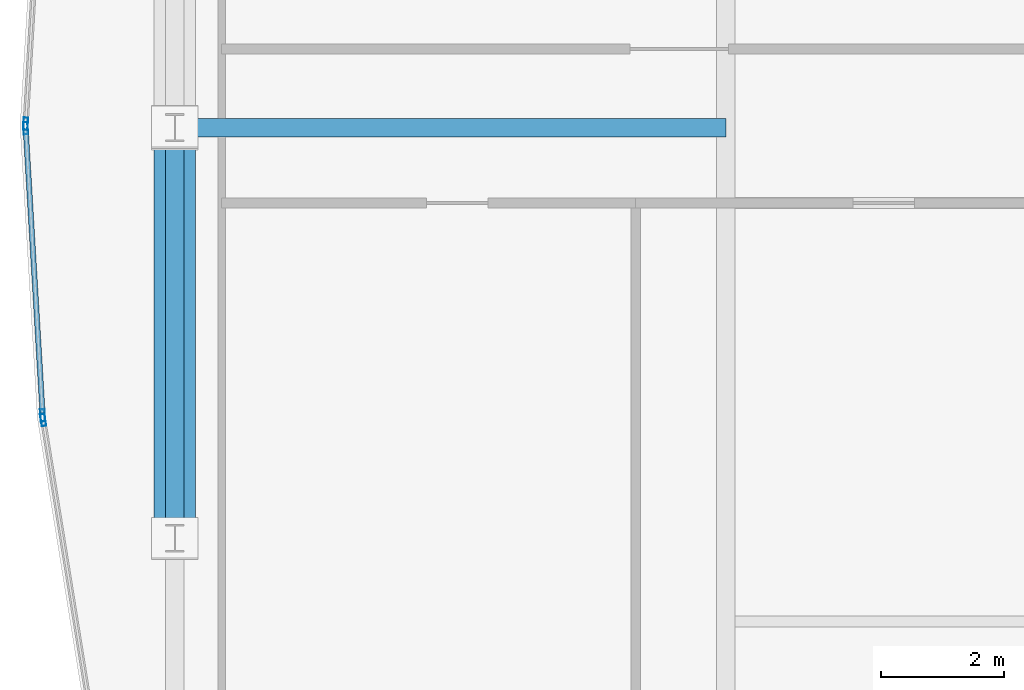
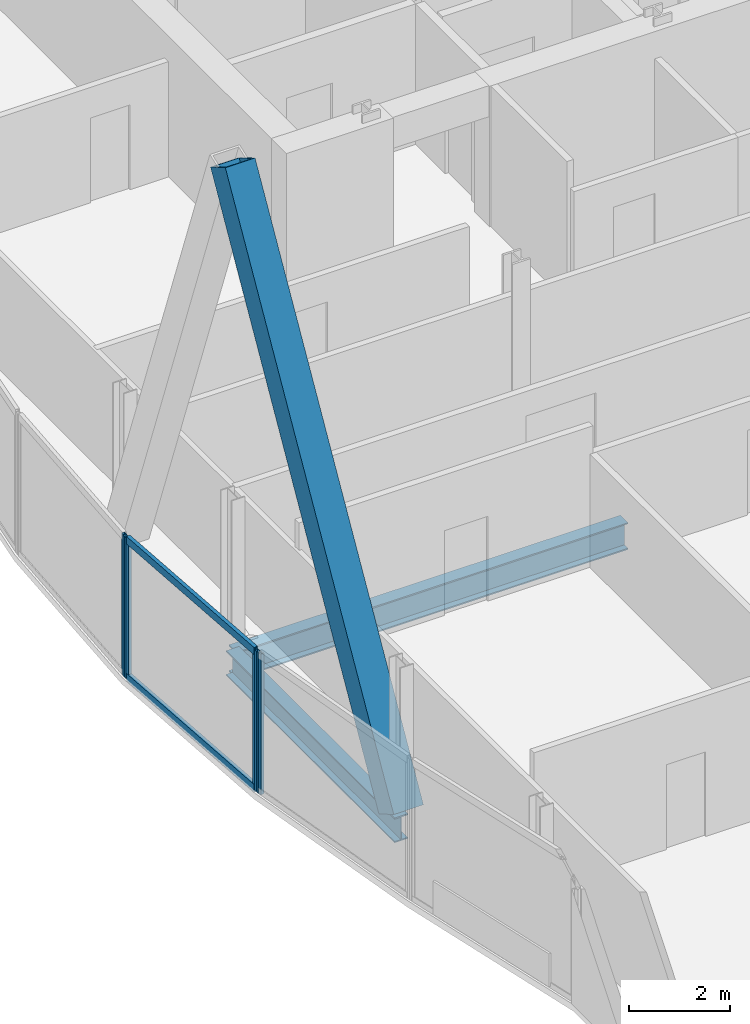
# One storey, part 10 of 31: 7 members, 2 beams, 3 elements without a shape of their own.
"""IFC4 building model written with IfcOpenShell, lengths in metres."""

import ifcopenshell
import ifcopenshell.guid

model = None  # the IFC model being written
_history = None  # IfcOwnerHistory: only IFC2X3 demands one
_inside = {}  # id of a spatial element -> (the spatial element, [elements in it])
_under = {}  # id of a project, library or spatial element -> (it, [spatial elements below it])
_declared = {}  # id of a project -> (the project, [libraries it declares])
_typed = {}  # id of a type object -> (the type object, [elements of that type])
_made_of = {}  # id of a material, layer set ... -> (it, [elements and type objects made of it])


def new_model(schema):
    """Start an empty IFC model of exactly this schema.

    Asked for "IFC4X3", IfcOpenShell would pick the latest addendum, in which some entities
    have other attributes; the version numbers below select the first issue.
    IFC2X3 requires an IfcOwnerHistory on every rooted entity: one is made here for all.
    """
    global model, _history
    if schema == "IFC4X3":
        model = ifcopenshell.file(schema_version=(4, 3, 0, 0))
    else:
        model = ifcopenshell.file(schema=schema)
    _inside.clear()
    _under.clear()
    _declared.clear()
    _typed.clear()
    _made_of.clear()
    _history = None
    if model.schema == "IFC2X3":
        org = make("IfcOrganization", Name="unknown")
        user = make(
            "IfcPersonAndOrganization",
            ThePerson=make("IfcPerson", FamilyName="unknown"),
            TheOrganization=org,
        )
        app = make(
            "IfcApplication",
            ApplicationDeveloper=org,
            Version="unknown",
            ApplicationFullName="unknown",
            ApplicationIdentifier="unknown",
        )
        _history = make(
            "IfcOwnerHistory",
            OwningUser=user,
            OwningApplication=app,
            ChangeAction="ADDED",
            CreationDate=0,
        )
    return model


def make(cls, **values):
    """One entity of the class cls with the attributes given. An attribute that is None is left unset."""
    return model.create_entity(
        cls, **{name: value for name, value in values.items() if value is not None}
    )


def rooted(cls, **values):
    """An entity with a GlobalId (a new one), such as an element, a storey or a relation."""
    return make(cls, GlobalId=ifcopenshell.guid.new(), OwnerHistory=_history, **values)


def si_unit(unit_type, name, prefix=None):
    """IfcSIUnit, for example si_unit("LENGTHUNIT", "METRE", prefix="MILLI")."""
    return make("IfcSIUnit", UnitType=unit_type, Prefix=prefix, Name=name)


def assignment(units):
    """IfcUnitAssignment: the units of a project."""
    return None if units is None else make("IfcUnitAssignment", Units=units)


def point(xyz):
    """IfcCartesianPoint."""
    return None if xyz is None else make("IfcCartesianPoint", Coordinates=xyz)


def direction(xyz):
    """IfcDirection."""
    return None if xyz is None else make("IfcDirection", DirectionRatios=xyz)


def frame(location, z_axis=None, x_axis=None):
    """IfcAxis2Placement3D, a coordinate frame: its origin and axes. An axis left out is left unset."""
    return make(
        "IfcAxis2Placement3D",
        Location=point(location),
        Axis=direction(z_axis),
        RefDirection=direction(x_axis),
    )


def frame_2d(location, x_axis=None):
    """IfcAxis2Placement2D, a coordinate frame in the plane: its origin and x axis."""
    return make(
        "IfcAxis2Placement2D", Location=point(location), RefDirection=direction(x_axis)
    )


def origin():
    """The frame at (0, 0, 0) with its axes left unset."""
    return frame((0.0, 0.0, 0.0))


def origin_2d():
    """The frame at (0, 0) in the plane with its x axis left unset."""
    return frame_2d((0.0, 0.0))


def place(relative_to, where):
    """IfcLocalPlacement: puts the frame where relative to a parent placement (None: the world)."""
    return make(
        "IfcLocalPlacement", PlacementRelTo=relative_to, RelativePlacement=where
    )


def context(
    kind, dimensions, precision=None, world=None, true_north=None, identifier=None
):
    """IfcGeometricRepresentationContext, for example the 3D "Model" context."""
    return make(
        "IfcGeometricRepresentationContext",
        ContextIdentifier=identifier,
        ContextType=kind,
        CoordinateSpaceDimension=dimensions,
        Precision=precision,
        WorldCoordinateSystem=world,
        TrueNorth=true_north,
    )


def subcontext(parent, identifier, kind, view, scale=None):
    """IfcGeometricRepresentationSubContext, for example "Body" below "Model"."""
    return make(
        "IfcGeometricRepresentationSubContext",
        ContextIdentifier=identifier,
        ContextType=kind,
        ParentContext=parent,
        TargetScale=scale,
        TargetView=view,
    )


def project(units=None, contexts=None):
    """IfcProject with its units and contexts."""
    return rooted(
        "IfcProject",
        Name="project",
        RepresentationContexts=contexts,
        UnitsInContext=assignment(units),
    )


def spatial(cls, under=None, at=None, **own):
    """A site, building, storey or space (cls), placed at a placement, below another one or the project."""
    s = rooted(cls, ObjectPlacement=at, **own)
    if under is not None:
        _under.setdefault(under.id(), (under, []))[1].append(s)
    return s


def profile(cls, at=None, kind="AREA", **sizes):
    """A parametric profile (cls). Its sizes go by their IFC names, for example OverallWidth=200.0."""
    return make(cls, ProfileType=kind, Position=at, **sizes)


def hollow_rectangle(**sizes):
    """IfcRectangleHollowProfileDef."""
    return profile("IfcRectangleHollowProfileDef", **sizes)


def i_section(**sizes):
    """IfcIShapeProfileDef."""
    return profile("IfcIShapeProfileDef", **sizes)


def extrude(swept, where, along, depth):
    """IfcExtrudedAreaSolid: the profile swept, set in the frame where, extruded along a direction by depth."""
    return make(
        "IfcExtrudedAreaSolid",
        SweptArea=swept,
        Position=where,
        ExtrudedDirection=direction(along),
        Depth=depth,
    )


def shape(context_of_items, identifier, shape_type, items):
    """IfcShapeRepresentation: the items that make up one representation, for example the "Body"."""
    return make(
        "IfcShapeRepresentation",
        ContextOfItems=context_of_items,
        RepresentationIdentifier=identifier,
        RepresentationType=shape_type,
        Items=items,
    )


def material(Name=None, Category=None):
    """IfcMaterial."""
    return make("IfcMaterial", Name=Name, Category=Category)


def material_profile(
    of_material, cross_section, Name=None, Category=None, Priority=None
):
    """IfcMaterialProfile: a cross section and its material."""
    return make(
        "IfcMaterialProfile",
        Name=Name,
        Material=of_material,
        Profile=cross_section,
        Priority=Priority,
        Category=Category,
    )


def profile_set(profiles, Name=None, composite=None):
    """IfcMaterialProfileSet."""
    return make(
        "IfcMaterialProfileSet",
        Name=Name,
        MaterialProfiles=profiles,
        CompositeProfile=composite,
    )


def made_of(thing, what):
    """Note that an element or type object is made of a material, layer set ...; save() writes the relation."""
    if what is not None:
        _made_of.setdefault(what.id(), (what, []))[1].append(thing)
    return thing


def type_object(cls, material=None, **own):
    """A type object (cls), such as IfcWallType, which elements share."""
    return made_of(rooted(cls, **own), material)


def element(
    cls,
    number,
    at=None,
    inside=None,
    cuts=None,
    type_object=None,
    material=None,
    context=None,
    identifier="Body",
    shape_type=None,
    held_by="IfcProductDefinitionShape",
    body=None,
    shapes=None,
    **own,
):
    """One element of the class cls, such as IfcWall. Its Tag is "e" and its number.

    at: its placement. inside: the storey or other place that contains it. cuts: it is an
    opening in that element (IfcRelVoidsElement). A single representation is given by context,
    identifier, shape_type and body (its items); several are given by shapes. held_by: the class
    of the entity that holds the representations. save() writes the other relations.
    """
    e = rooted(cls, Tag="e%d" % number, ObjectPlacement=at, **own)
    if body is not None:
        shapes = [shape(context, identifier, shape_type, body)]
    if shapes is not None:
        e.Representation = make(held_by, Representations=shapes)
    if inside is not None:
        _inside.setdefault(inside.id(), (inside, []))[1].append(e)
    if cuts is not None:
        rooted(
            "IfcRelVoidsElement", RelatingBuildingElement=cuts, RelatedOpeningElement=e
        )
    if type_object is not None:
        _typed.setdefault(type_object.id(), (type_object, []))[1].append(e)
    return made_of(e, material)


def aggregate(whole, parts):
    """IfcRelAggregates: a whole, such as a stair, and the parts it consists of."""
    return rooted("IfcRelAggregates", RelatingObject=whole, RelatedObjects=parts)


def save(model, path):
    """Write the relations noted so far, then the file.

    IfcRelAggregates (storeys below a building ...), IfcRelContainedInSpatialStructure (elements
    in a storey), IfcRelDefinesByType, IfcRelAssociatesMaterial and IfcRelDeclares: one each for
    every whole, place, type object, material and project.
    """
    for whole, parts in _under.values():
        aggregate(whole, parts)
    for where, things in _inside.values():
        rooted(
            "IfcRelContainedInSpatialStructure",
            RelatedElements=things,
            RelatingStructure=where,
        )
    for kind, things in _typed.values():
        rooted("IfcRelDefinesByType", RelatedObjects=things, RelatingType=kind)
    for what, things in _made_of.values():
        rooted("IfcRelAssociatesMaterial", RelatedObjects=things, RelatingMaterial=what)
    for by, libraries in _declared.values():
        rooted("IfcRelDeclares", RelatingContext=by, RelatedDefinitions=libraries)
    model.write(path)


model = new_model("IFC4")

# Units and contexts
model_context = context("Model", 3, precision=1e-05, world=origin(), true_north=direction((0.0, 1.0)))
body_context = subcontext(model_context, "Body", "Model", "MODEL_VIEW")
ifc_project = project(units=[si_unit("LENGTHUNIT", "METRE"), si_unit("AREAUNIT", "SQUARE_METRE"), si_unit("VOLUMEUNIT", "CUBIC_METRE"), si_unit("PLANEANGLEUNIT", "RADIAN"), si_unit("MASSUNIT", "GRAM", prefix="KILO")], contexts=[model_context])

# Site, building, storey
site_placement = place(None, origin())
site = spatial("IfcSite", under=ifc_project, at=site_placement, CompositionType="ELEMENT")
building_placement = place(site_placement, origin())
building = spatial("IfcBuilding", under=site, at=building_placement, Name="Khoronbel Lancet Exchange", CompositionType="ELEMENT")
storey_placement = place(building_placement, frame((0.0, 0.0, 261.800048828125)))
storey = spatial("IfcBuildingStorey", under=building, at=storey_placement, Name="L67", CompositionType="ELEMENT", Elevation=261.800048828125)

# Beams
ifc_material_1 = material(Name="Steel S355", Category="steel")
ifc_material_profile_1 = material_profile(ifc_material_1, i_section(OverallWidth=0.300048828125, OverallDepth=0.64990234375, WebThickness=0.01611328125, FlangeThickness=0.031005859375, at=origin_2d()), Name="HEB 650")
ifc_profile_set_1 = profile_set([ifc_material_profile_1], Name="Steel S355")
beam_type_1 = type_object("IfcBeamType", Name="BM-BG4", PredefinedType="BEAM", material=ifc_profile_set_1)
beam_1_placement = place(storey_placement, frame((9.27001953125, 31.425048828125, -0.485107421875), z_axis=(1.0, 0.0, 0.0), x_axis=(0.0, 1.0, 0.0)))
element("IfcBeam", 1, at=beam_1_placement, inside=storey, type_object=beam_type_1, Name="Level L67 west lens tie girder LG2W", PredefinedType="BEAM", context=body_context, shape_type="SweptSolid", body=[
    extrude(i_section(OverallWidth=0.300048828125, OverallDepth=0.64990234375, WebThickness=0.01611328125, FlangeThickness=0.031005859375, at=origin_2d()), origin(), (0.0, 0.0, 1.0), 8.955078125),
])
ifc_material_profile_2 = material_profile(ifc_material_1, i_section(OverallWidth=0.300048828125, OverallDepth=0.60009765625, WebThickness=0.015380859375, FlangeThickness=0.030029296875, at=origin_2d()), Name="HEB 600")
ifc_profile_set_2 = profile_set([ifc_material_profile_2], Name="Steel S355")
beam_type_2 = type_object("IfcBeamType", Name="BM-BSP2", PredefinedType="SPANDREL", material=ifc_profile_set_2)
beam_2_placement = place(storey_placement, frame((9.27001953125, 31.425048828125, -0.4599609375), z_axis=(0.0, -1.0, 0.0), x_axis=(1.0, 0.0, 0.0)))
element("IfcBeam", 2, at=beam_2_placement, inside=storey, type_object=beam_type_2, Name="Level L67 perimeter spandrel beam SP19", PredefinedType="SPANDREL", context=body_context, shape_type="SweptSolid", body=[
    extrude(i_section(OverallWidth=0.300048828125, OverallDepth=0.60009765625, WebThickness=0.015380859375, FlangeThickness=0.030029296875, at=origin_2d()), origin(), (0.0, 0.0, 1.0), 6.675048828125),
])

# Curtain wall, member
ifc_material_2 = material(Name="Low-E Solar Control Insulating Glass", Category="glass")
curtain_wall_type = type_object("IfcCurtainWallType", Name="CW-4", PredefinedType="NOTDEFINED", material=ifc_material_2)
curtain_wall_1_placement = place(storey_placement, origin())
curtain_wall_1 = element("IfcCurtainWall", 3, at=curtain_wall_1_placement, inside=storey, type_object=curtain_wall_type, Name="Unitised curtain wall CW-L67-E05", PredefinedType="NOTDEFINED")
ifc_material_3 = material(Name="Bronze-Anodised Aluminium 6063-T6", Category="aluminium")
ifc_material_profile_3 = material_profile(ifc_material_3, hollow_rectangle(XDim=0.074951171875, YDim=0.199951171875, WallThickness=0.0048828125, at=origin_2d()), Name="ALU MULLION 75x200")
ifc_profile_set_3 = profile_set([ifc_material_profile_3], Name="Bronze-Anodised Aluminium 6063-T6")
member_type_1 = type_object("IfcMemberType", Name="MEM-CWM2", PredefinedType="MULLION", material=ifc_profile_set_3)
member_1_placement = place(storey_placement, frame((7.130126953125, 26.6728515625, 0.0), z_axis=(0.0, 0.0, 1.0), x_axis=(-0.987205103846, -0.159455582972, 0.0)))
member_1 = element("IfcMember", 4, at=member_1_placement, type_object=member_type_1, Name="CW4 mullion 2", PredefinedType="MULLION", context=body_context, shape_type="SweptSolid", body=[
    extrude(hollow_rectangle(XDim=0.074951171875, YDim=0.199951171875, WallThickness=0.0048828125, at=origin_2d()), origin(), (0.0, 0.0, 1.0), 3.39990234375),
])
aggregate(curtain_wall_1, [member_1])

# Curtain wall, members
curtain_wall_2_placement = place(storey_placement, origin())
curtain_wall_2 = element("IfcCurtainWall", 5, at=curtain_wall_2_placement, inside=storey, type_object=curtain_wall_type, Name="Unitised curtain wall CW-L67-E06", PredefinedType="NOTDEFINED")
member_2_placement = place(storey_placement, frame((7.1220703125, 26.747314453125, 0.0), z_axis=(0.0, 0.0, 1.0), x_axis=(-0.998257411242, -0.059009667857, 0.0)))
member_2 = element("IfcMember", 6, at=member_2_placement, type_object=member_type_1, Name="CW4 mullion 1", PredefinedType="MULLION", context=body_context, shape_type="SweptSolid", body=[
    extrude(hollow_rectangle(XDim=0.074951171875, YDim=0.199951171875, WallThickness=0.0048828125, at=origin_2d()), origin(), (0.0, 0.0, 1.0), 3.39990234375),
])
member_3_placement = place(storey_placement, frame((6.84619140625, 31.41259765625, 0.0), z_axis=(0.0, 0.0, 1.0), x_axis=(-0.998257411242, -0.059009667857, 0.0)))
member_3 = element("IfcMember", 7, at=member_3_placement, type_object=member_type_1, Name="CW4 mullion 2", PredefinedType="MULLION", context=body_context, shape_type="SweptSolid", body=[
    extrude(hollow_rectangle(XDim=0.074951171875, YDim=0.199951171875, WallThickness=0.0048828125, at=origin_2d()), origin(), (0.0, 0.0, 1.0), 3.39990234375),
])

# Curtain wall, member
curtain_wall_3_placement = place(storey_placement, origin())
curtain_wall_3 = element("IfcCurtainWall", 8, at=curtain_wall_3_placement, inside=storey, type_object=curtain_wall_type, Name="Unitised curtain wall CW-L67-E07", PredefinedType="NOTDEFINED")
member_4_placement = place(storey_placement, frame((6.84619140625, 31.487548828125, 0.0), z_axis=(0.0, 0.0, 1.0), x_axis=(-0.998257411242, 0.059009667857, 0.0)))
member_4 = element("IfcMember", 9, at=member_4_placement, type_object=member_type_1, Name="CW4 mullion 1", PredefinedType="MULLION", context=body_context, shape_type="SweptSolid", body=[
    extrude(hollow_rectangle(XDim=0.074951171875, YDim=0.199951171875, WallThickness=0.0048828125, at=origin_2d()), origin(), (0.0, 0.0, 1.0), 3.39990234375),
])
aggregate(curtain_wall_3, [member_4])

# Member
ifc_material_profile_4 = material_profile(ifc_material_3, hollow_rectangle(XDim=0.0849609375, YDim=0.179931640625, WallThickness=0.0048828125, at=origin_2d()), Name="ALU TRANSOM 85x180")
ifc_profile_set_4 = profile_set([ifc_material_profile_4], Name="Bronze-Anodised Aluminium 6063-T6")
member_type_2 = type_object("IfcMemberType", Name="MEM-CWT1", PredefinedType="USERDEFINED", material=ifc_profile_set_4)
member_5_placement = place(storey_placement, frame((7.119873046875, 26.78466796875, 0.04248046875), z_axis=(-0.059036349891, 0.998255833638, 0.0), x_axis=(-0.998255833638, -0.059036349891, 0.0)))
member_5 = element("IfcMember", 10, at=member_5_placement, type_object=member_type_2, Name="CW4 transom 1.1", ObjectType="TRANSOM", PredefinedType="USERDEFINED", context=body_context, shape_type="SweptSolid", body=[
    extrude(hollow_rectangle(XDim=0.0849609375, YDim=0.179931640625, WallThickness=0.0048828125, at=origin_2d()), origin(), (0.0, 0.0, 1.0), 4.5986328125),
])

member_6_placement = place(storey_placement, frame((7.119873046875, 26.78466796875, 3.357421875), z_axis=(-0.059036349891, 0.998255833638, 0.0), x_axis=(-0.998255833638, -0.059036349891, 0.0)))
member_6 = element("IfcMember", 11, at=member_6_placement, type_object=member_type_2, Name="CW4 transom 1.2", ObjectType="TRANSOM", PredefinedType="USERDEFINED", context=body_context, shape_type="SweptSolid", body=[
    extrude(hollow_rectangle(XDim=0.0849609375, YDim=0.179931640625, WallThickness=0.0048828125, at=origin_2d()), origin(), (0.0, 0.0, 1.0), 4.5986328125),
])

aggregate(curtain_wall_2, [member_2, member_3, member_5, member_6])

ifc_material_4 = material(Name="Steel S460", Category="steel")
ifc_material_profile_5 = material_profile(ifc_material_4, hollow_rectangle(XDim=0.679931640625, YDim=0.679931640625, WallThickness=0.044921875, at=origin_2d()), Name="BOX 680x680x45")
ifc_profile_set_5 = profile_set([ifc_material_profile_5], Name="Steel S460")
member_type_3 = type_object("IfcMemberType", Name="MEM-MB3", PredefinedType="BRACE", material=ifc_profile_set_5)
member_7_placement = place(storey_placement, frame((9.27001953125, 24.75, 0.0), z_axis=(0.0, 0.498759338511, 0.866740516099), x_axis=(-1.0, 0.0, 0.0)))
element("IfcMember", 12, at=member_7_placement, inside=storey, type_object=member_type_3, Name="Perimeter lancet brace tier 23 W-P-L", PredefinedType="BRACE", context=body_context, shape_type="SweptSolid", body=[
    extrude(hollow_rectangle(XDim=0.679931640625, YDim=0.679931640625, WallThickness=0.044921875, at=origin_2d()), origin(), (0.0, 0.0, 1.0), 13.38330078125),
])

save(model, "model.ifc")
